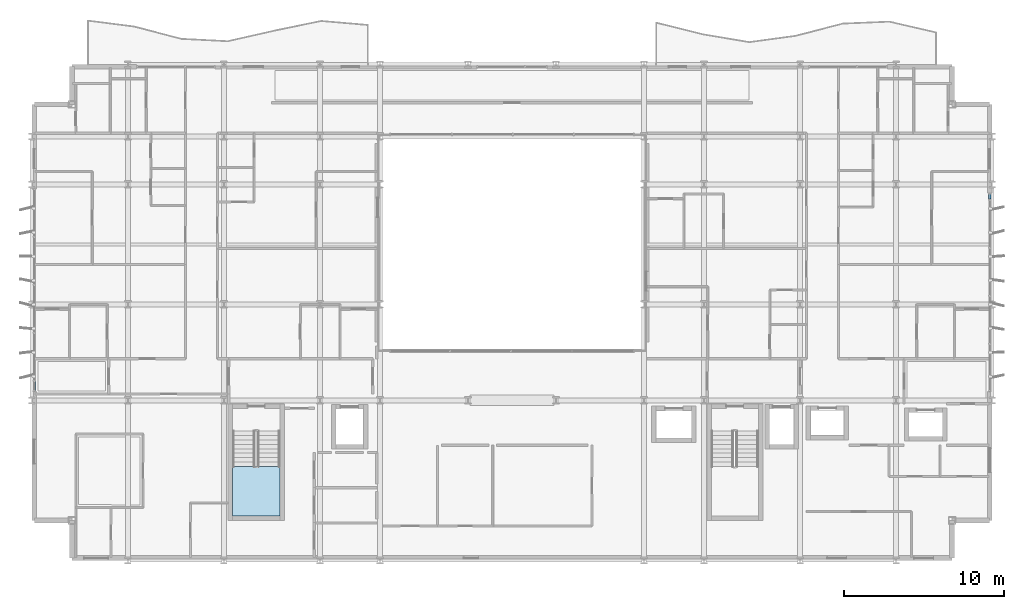
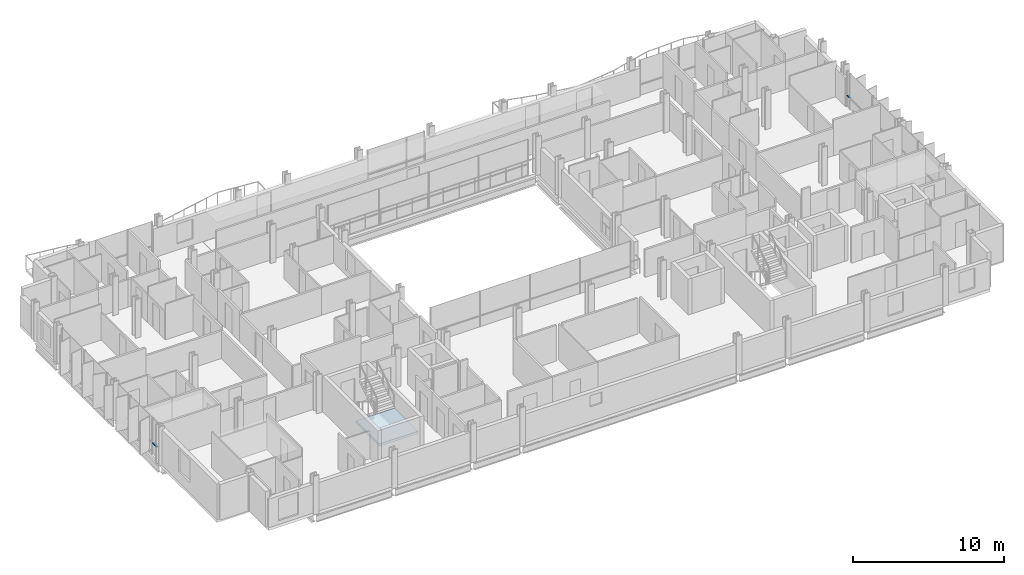
# One storey, part 21 of 38: 2 members, 1 slab, 3 elements without a shape of their own.
"""IFC4 building model written with IfcOpenShell, lengths in metres."""

import ifcopenshell
import ifcopenshell.guid

model = None  # the IFC model being written
_history = None  # IfcOwnerHistory: only IFC2X3 demands one
_inside = {}  # id of a spatial element -> (the spatial element, [elements in it])
_under = {}  # id of a project, library or spatial element -> (it, [spatial elements below it])
_declared = {}  # id of a project -> (the project, [libraries it declares])
_typed = {}  # id of a type object -> (the type object, [elements of that type])
_made_of = {}  # id of a material, layer set ... -> (it, [elements and type objects made of it])


def new_model(schema):
    """Start an empty IFC model of exactly this schema.

    Asked for "IFC4X3", IfcOpenShell would pick the latest addendum, in which some entities
    have other attributes; the version numbers below select the first issue.
    IFC2X3 requires an IfcOwnerHistory on every rooted entity: one is made here for all.
    """
    global model, _history
    if schema == "IFC4X3":
        model = ifcopenshell.file(schema_version=(4, 3, 0, 0))
    else:
        model = ifcopenshell.file(schema=schema)
    _inside.clear()
    _under.clear()
    _declared.clear()
    _typed.clear()
    _made_of.clear()
    _history = None
    if model.schema == "IFC2X3":
        org = make("IfcOrganization", Name="unknown")
        user = make(
            "IfcPersonAndOrganization",
            ThePerson=make("IfcPerson", FamilyName="unknown"),
            TheOrganization=org,
        )
        app = make(
            "IfcApplication",
            ApplicationDeveloper=org,
            Version="unknown",
            ApplicationFullName="unknown",
            ApplicationIdentifier="unknown",
        )
        _history = make(
            "IfcOwnerHistory",
            OwningUser=user,
            OwningApplication=app,
            ChangeAction="ADDED",
            CreationDate=0,
        )
    return model


def make(cls, **values):
    """One entity of the class cls with the attributes given. An attribute that is None is left unset."""
    return model.create_entity(
        cls, **{name: value for name, value in values.items() if value is not None}
    )


def rooted(cls, **values):
    """An entity with a GlobalId (a new one), such as an element, a storey or a relation."""
    return make(cls, GlobalId=ifcopenshell.guid.new(), OwnerHistory=_history, **values)


def si_unit(unit_type, name, prefix=None):
    """IfcSIUnit, for example si_unit("LENGTHUNIT", "METRE", prefix="MILLI")."""
    return make("IfcSIUnit", UnitType=unit_type, Prefix=prefix, Name=name)


def assignment(units):
    """IfcUnitAssignment: the units of a project."""
    return None if units is None else make("IfcUnitAssignment", Units=units)


def point(xyz):
    """IfcCartesianPoint."""
    return None if xyz is None else make("IfcCartesianPoint", Coordinates=xyz)


def direction(xyz):
    """IfcDirection."""
    return None if xyz is None else make("IfcDirection", DirectionRatios=xyz)


def frame(location, z_axis=None, x_axis=None):
    """IfcAxis2Placement3D, a coordinate frame: its origin and axes. An axis left out is left unset."""
    return make(
        "IfcAxis2Placement3D",
        Location=point(location),
        Axis=direction(z_axis),
        RefDirection=direction(x_axis),
    )


def frame_2d(location, x_axis=None):
    """IfcAxis2Placement2D, a coordinate frame in the plane: its origin and x axis."""
    return make(
        "IfcAxis2Placement2D", Location=point(location), RefDirection=direction(x_axis)
    )


def origin():
    """The frame at (0, 0, 0) with its axes left unset."""
    return frame((0.0, 0.0, 0.0))


def origin_2d():
    """The frame at (0, 0) in the plane with its x axis left unset."""
    return frame_2d((0.0, 0.0))


def place(relative_to, where):
    """IfcLocalPlacement: puts the frame where relative to a parent placement (None: the world)."""
    return make(
        "IfcLocalPlacement", PlacementRelTo=relative_to, RelativePlacement=where
    )


def context(
    kind, dimensions, precision=None, world=None, true_north=None, identifier=None
):
    """IfcGeometricRepresentationContext, for example the 3D "Model" context."""
    return make(
        "IfcGeometricRepresentationContext",
        ContextIdentifier=identifier,
        ContextType=kind,
        CoordinateSpaceDimension=dimensions,
        Precision=precision,
        WorldCoordinateSystem=world,
        TrueNorth=true_north,
    )


def subcontext(parent, identifier, kind, view, scale=None):
    """IfcGeometricRepresentationSubContext, for example "Body" below "Model"."""
    return make(
        "IfcGeometricRepresentationSubContext",
        ContextIdentifier=identifier,
        ContextType=kind,
        ParentContext=parent,
        TargetScale=scale,
        TargetView=view,
    )


def project(units=None, contexts=None):
    """IfcProject with its units and contexts."""
    return rooted(
        "IfcProject",
        Name="project",
        RepresentationContexts=contexts,
        UnitsInContext=assignment(units),
    )


def spatial(cls, under=None, at=None, **own):
    """A site, building, storey or space (cls), placed at a placement, below another one or the project."""
    s = rooted(cls, ObjectPlacement=at, **own)
    if under is not None:
        _under.setdefault(under.id(), (under, []))[1].append(s)
    return s


def polyline(points):
    """IfcPolyline through the points."""
    return make("IfcPolyline", Points=[point(p) for p in points])


def profile(cls, at=None, kind="AREA", **sizes):
    """A parametric profile (cls). Its sizes go by their IFC names, for example OverallWidth=200.0."""
    return make(cls, ProfileType=kind, Position=at, **sizes)


def hollow_rectangle(**sizes):
    """IfcRectangleHollowProfileDef."""
    return profile("IfcRectangleHollowProfileDef", **sizes)


def outline(outer, holes=None, kind="AREA"):
    """IfcArbitraryClosedProfileDef: a profile drawn as a closed curve; with holes, ...WithVoids."""
    if holes is None:
        return make("IfcArbitraryClosedProfileDef", ProfileType=kind, OuterCurve=outer)
    return make(
        "IfcArbitraryProfileDefWithVoids",
        ProfileType=kind,
        OuterCurve=outer,
        InnerCurves=holes,
    )


def extrude(swept, where, along, depth):
    """IfcExtrudedAreaSolid: the profile swept, set in the frame where, extruded along a direction by depth."""
    return make(
        "IfcExtrudedAreaSolid",
        SweptArea=swept,
        Position=where,
        ExtrudedDirection=direction(along),
        Depth=depth,
    )


def shape(context_of_items, identifier, shape_type, items):
    """IfcShapeRepresentation: the items that make up one representation, for example the "Body"."""
    return make(
        "IfcShapeRepresentation",
        ContextOfItems=context_of_items,
        RepresentationIdentifier=identifier,
        RepresentationType=shape_type,
        Items=items,
    )


def material(Name=None, Category=None):
    """IfcMaterial."""
    return make("IfcMaterial", Name=Name, Category=Category)


def layer(
    of_material, thickness, ventilated=None, Name=None, Category=None, Priority=None
):
    """IfcMaterialLayer: one layer of a wall or slab, of a material (None: an air gap)."""
    return make(
        "IfcMaterialLayer",
        Material=of_material,
        LayerThickness=thickness,
        IsVentilated=ventilated,
        Name=Name,
        Category=Category,
        Priority=Priority,
    )


def layer_set(layers, Name=None):
    """IfcMaterialLayerSet."""
    return make("IfcMaterialLayerSet", MaterialLayers=layers, LayerSetName=Name)


def material_profile(
    of_material, cross_section, Name=None, Category=None, Priority=None
):
    """IfcMaterialProfile: a cross section and its material."""
    return make(
        "IfcMaterialProfile",
        Name=Name,
        Material=of_material,
        Profile=cross_section,
        Priority=Priority,
        Category=Category,
    )


def profile_set(profiles, Name=None, composite=None):
    """IfcMaterialProfileSet."""
    return make(
        "IfcMaterialProfileSet",
        Name=Name,
        MaterialProfiles=profiles,
        CompositeProfile=composite,
    )


def made_of(thing, what):
    """Note that an element or type object is made of a material, layer set ...; save() writes the relation."""
    if what is not None:
        _made_of.setdefault(what.id(), (what, []))[1].append(thing)
    return thing


def type_object(cls, material=None, **own):
    """A type object (cls), such as IfcWallType, which elements share."""
    return made_of(rooted(cls, **own), material)


def element(
    cls,
    number,
    at=None,
    inside=None,
    cuts=None,
    type_object=None,
    material=None,
    context=None,
    identifier="Body",
    shape_type=None,
    held_by="IfcProductDefinitionShape",
    body=None,
    shapes=None,
    **own,
):
    """One element of the class cls, such as IfcWall. Its Tag is "e" and its number.

    at: its placement. inside: the storey or other place that contains it. cuts: it is an
    opening in that element (IfcRelVoidsElement). A single representation is given by context,
    identifier, shape_type and body (its items); several are given by shapes. held_by: the class
    of the entity that holds the representations. save() writes the other relations.
    """
    e = rooted(cls, Tag="e%d" % number, ObjectPlacement=at, **own)
    if body is not None:
        shapes = [shape(context, identifier, shape_type, body)]
    if shapes is not None:
        e.Representation = make(held_by, Representations=shapes)
    if inside is not None:
        _inside.setdefault(inside.id(), (inside, []))[1].append(e)
    if cuts is not None:
        rooted(
            "IfcRelVoidsElement", RelatingBuildingElement=cuts, RelatedOpeningElement=e
        )
    if type_object is not None:
        _typed.setdefault(type_object.id(), (type_object, []))[1].append(e)
    return made_of(e, material)


def aggregate(whole, parts):
    """IfcRelAggregates: a whole, such as a stair, and the parts it consists of."""
    return rooted("IfcRelAggregates", RelatingObject=whole, RelatedObjects=parts)


def save(model, path):
    """Write the relations noted so far, then the file.

    IfcRelAggregates (storeys below a building ...), IfcRelContainedInSpatialStructure (elements
    in a storey), IfcRelDefinesByType, IfcRelAssociatesMaterial and IfcRelDeclares: one each for
    every whole, place, type object, material and project.
    """
    for whole, parts in _under.values():
        aggregate(whole, parts)
    for where, things in _inside.values():
        rooted(
            "IfcRelContainedInSpatialStructure",
            RelatedElements=things,
            RelatingStructure=where,
        )
    for kind, things in _typed.values():
        rooted("IfcRelDefinesByType", RelatedObjects=things, RelatingType=kind)
    for what, things in _made_of.values():
        rooted("IfcRelAssociatesMaterial", RelatedObjects=things, RelatingMaterial=what)
    for by, libraries in _declared.values():
        rooted("IfcRelDeclares", RelatingContext=by, RelatedDefinitions=libraries)
    model.write(path)


model = new_model("IFC4")

# Units and contexts
model_context = context("Model", 3, precision=1e-05, world=origin(), true_north=direction((0.0, 1.0)))
body_context = subcontext(model_context, "Body", "Model", "MODEL_VIEW")
ifc_project = project(units=[si_unit("LENGTHUNIT", "METRE"), si_unit("AREAUNIT", "SQUARE_METRE"), si_unit("VOLUMEUNIT", "CUBIC_METRE"), si_unit("PLANEANGLEUNIT", "RADIAN"), si_unit("MASSUNIT", "GRAM", prefix="KILO")], contexts=[model_context])

# Site, building, storey
site_placement = place(None, origin())
site = spatial("IfcSite", under=ifc_project, at=site_placement, CompositionType="ELEMENT")
building_placement = place(site_placement, origin())
building = spatial("IfcBuilding", under=site, at=building_placement, Name="Brevholm Reach", CompositionType="ELEMENT")
storey_placement = place(building_placement, frame((0.0, 0.0, 52.800048828125)))
storey = spatial("IfcBuildingStorey", under=building, at=storey_placement, Name="L14", CompositionType="ELEMENT", Elevation=52.800048828125)

# Curtain wall, member
ifc_material_1 = material(Name="Dark Anodised Aluminium 6063-T6 and Solar-Control Glass", Category="aluminium")
ifc_layer_1 = layer(ifc_material_1, 0.14990234375)
ifc_layer_set_1 = layer_set([ifc_layer_1], Name="Dark Anodised Aluminium 6063-T6 and Solar-Control Glass")
curtain_wall_type = type_object("IfcCurtainWallType", Name="CW-01", PredefinedType="NOTDEFINED", material=ifc_layer_set_1)
curtain_wall_1_placement = place(storey_placement, origin())
curtain_wall_1 = element("IfcCurtainWall", 1, at=curtain_wall_1_placement, inside=storey, type_object=curtain_wall_type, Name="L14 Curtain Wall CW-01", PredefinedType="NOTDEFINED")
ifc_material_2 = material(Name="Dark Anodised Aluminium 6063-T6", Category="aluminium")
ifc_material_profile = material_profile(ifc_material_2, hollow_rectangle(XDim=0.06494140625, YDim=0.14990234375, WallThickness=0.0048828125, InnerFilletRadius=0.0048828125, OuterFilletRadius=0.010009765625, at=origin_2d()), Name="RHS 150x65x5")
ifc_profile_set = profile_set([ifc_material_profile], Name="Dark Anodised Aluminium 6063-T6")
member_type = type_object("IfcMemberType", Name="CWT-150", PredefinedType="NOTDEFINED", material=ifc_profile_set)
member_1_placement = place(storey_placement, frame((0.14990234375, 11.1875, 0.89990234375), z_axis=(0.0, -1.0, 0.0), x_axis=(0.0, 0.0, 1.0)))
member_1 = element("IfcMember", 2, at=member_1_placement, type_object=member_type, Name="CT-150 Transom 5.1", ObjectType="TRANSOM", PredefinedType="USERDEFINED", context=body_context, shape_type="SweptSolid", body=[
    extrude(hollow_rectangle(XDim=0.06494140625, YDim=0.14990234375, WallThickness=0.0048828125, InnerFilletRadius=0.0048828125, OuterFilletRadius=0.010009765625, at=origin_2d()), origin(), (0.0, 0.0, 1.0), 0.572509765625),
])
aggregate(curtain_wall_1, [member_1])

curtain_wall_2_placement = place(storey_placement, origin())
curtain_wall_2 = element("IfcCurtainWall", 3, at=curtain_wall_2_placement, inside=storey, type_object=curtain_wall_type, Name="L14 Curtain Wall CW-01", PredefinedType="NOTDEFINED")
member_2_placement = place(storey_placement, frame((59.85009765625, 22.58251953125, 0.89990234375), z_axis=(0.0, 1.0, 0.0), x_axis=(0.0, 0.0, 1.0)))
member_2 = element("IfcMember", 4, at=member_2_placement, type_object=member_type, Name="CT-150 Transom 5.1", ObjectType="TRANSOM", PredefinedType="USERDEFINED", context=body_context, shape_type="SweptSolid", body=[
    extrude(hollow_rectangle(XDim=0.06494140625, YDim=0.14990234375, WallThickness=0.0048828125, InnerFilletRadius=0.0048828125, OuterFilletRadius=0.010009765625, at=origin_2d()), origin(), (0.0, 0.0, 1.0), 0.302490234375),
])
aggregate(curtain_wall_2, [member_2])

# Stair, slab
ifc_material_3 = material(Name="Precast Concrete C40/50", Category="concrete")
stair_type = type_object("IfcStairType", Name="STR-ESC-1400", PredefinedType="DOUBLE_RETURN_STAIR", material=ifc_material_3)
stair_placement = place(storey_placement, origin())
stair = element("IfcStair", 5, at=stair_placement, inside=storey, type_object=stair_type, Name="L14 ST-1", PredefinedType="DOUBLE_RETURN_STAIR")
ifc_material_4 = material(Name="Concrete C40/50", Category="concrete")
ifc_layer_2 = layer(ifc_material_4, 0.199951171875)
ifc_layer_set_2 = layer_set([ifc_layer_2], Name="Concrete C40/50")
slab_type = type_object("IfcSlabType", Name="SLB-LND-200", PredefinedType="LANDING", material=ifc_layer_set_2)
slab_placement = place(storey_placement, frame((0.0, 0.0, 1.349853515625)))
slab = element("IfcSlab", 6, at=slab_placement, type_object=slab_type, Name="ST-1 landing 1", PredefinedType="LANDING", context=body_context, shape_type="SweptSolid", body=[
    extrude(outline(polyline([(12.550048828125, 5.860107421875), (12.550048828125, 2.780029296875), (15.5, 2.780029296875), (15.5, 5.860107421875), (12.550048828125, 5.860107421875)])), origin(), (0.0, 0.0, 1.0), 0.2001953125),
])
aggregate(stair, [slab])

save(model, "model.ifc")
